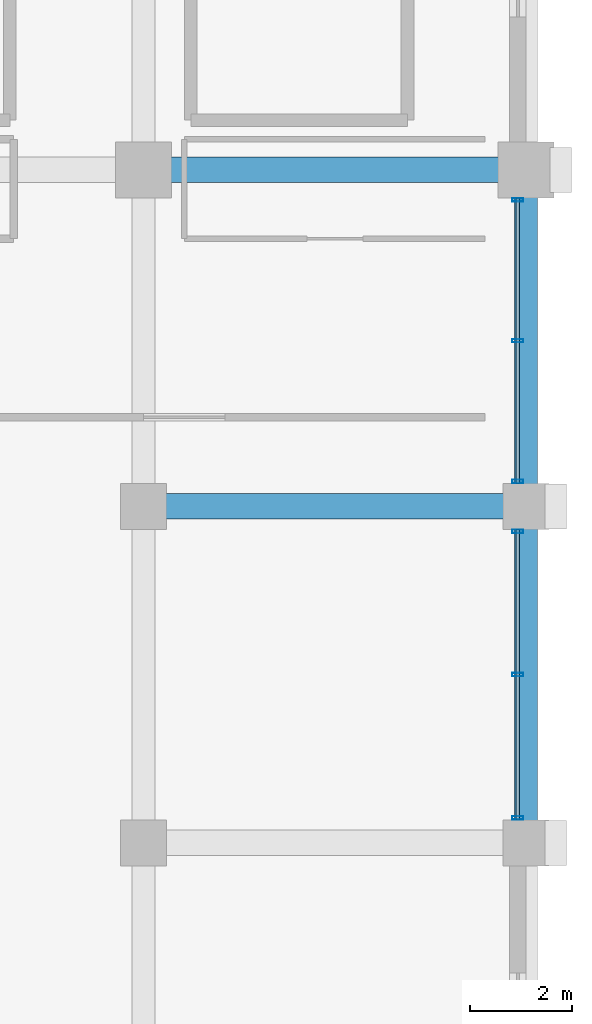
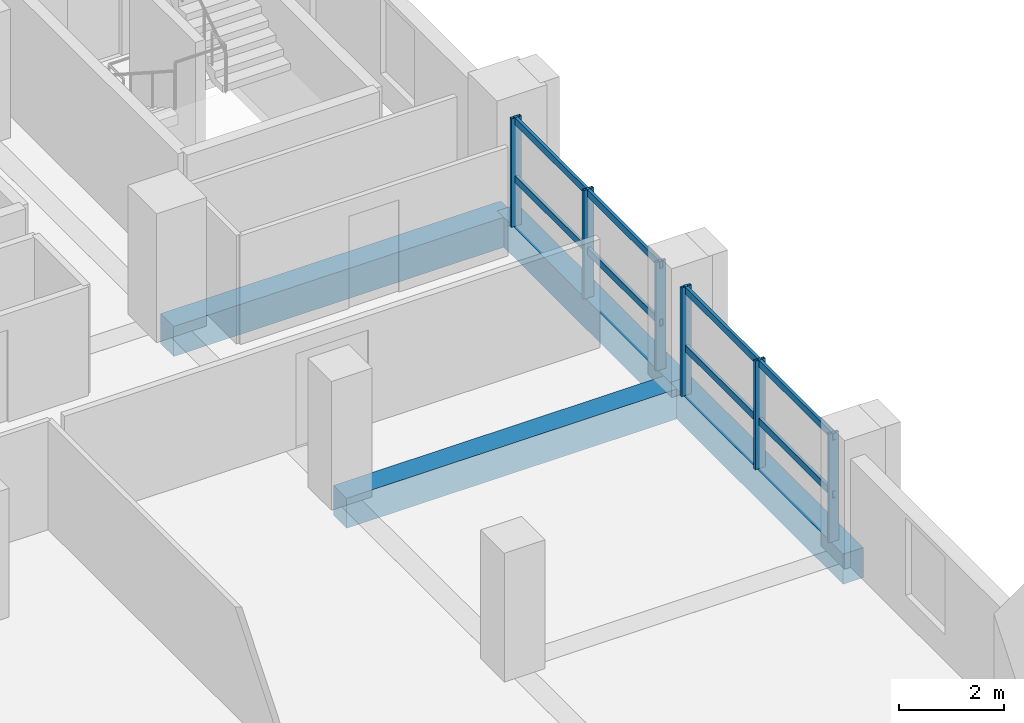
# One storey, part 14 of 21: 10 members, 4 beams, 2 elements without a shape of their own.
"""IFC4 building model written with IfcOpenShell, lengths in metres."""

from ifc_helpers import new_model, si_unit, direction, frame, origin, origin_2d, place, context, subcontext, project, spatial, rectangle, hollow_rectangle, extrude, material, material_profile, profile_set, type_object, element, aggregate, save


model = new_model("IFC4")

# Units and contexts
model_context = context("Model", 3, precision=1e-05, world=origin(), true_north=direction((0.0, 1.0)))
body_context = subcontext(model_context, "Body", "Model", "MODEL_VIEW")
ifc_project = project(units=[si_unit("LENGTHUNIT", "METRE"), si_unit("AREAUNIT", "SQUARE_METRE"), si_unit("VOLUMEUNIT", "CUBIC_METRE"), si_unit("PLANEANGLEUNIT", "RADIAN"), si_unit("MASSUNIT", "GRAM", prefix="KILO")], contexts=[model_context])

# Site, building, storey
site_placement = place(None, origin())
site = spatial("IfcSite", under=ifc_project, at=site_placement, CompositionType="ELEMENT")
building_placement = place(site_placement, origin())
building = spatial("IfcBuilding", under=site, at=building_placement, Name="Akrevak Sports Hall", CompositionType="ELEMENT")
storey_placement = place(building_placement, frame((0.0, 0.0, 34.050048828125)))
storey = spatial("IfcBuildingStorey", under=building, at=storey_placement, Name="L07", CompositionType="ELEMENT", Elevation=34.050048828125)

# Curtain wall, members
ifc_material_1 = material(Name="Anodized Bronze Aluminium & Low-E Glass", Category="aluminium")
curtain_wall_type = type_object("IfcCurtainWallType", Name="ARC-CW-TWR-56x30", PredefinedType="NOTDEFINED", material=ifc_material_1)
curtain_wall_1_placement = place(storey_placement, origin())
curtain_wall_1 = element("IfcCurtainWall", 1, at=curtain_wall_1_placement, inside=storey, type_object=curtain_wall_type, Name="Curtain Wall CW-L07-E15", PredefinedType="NOTDEFINED")
ifc_material_2 = material(Name="Anodized Bronze Aluminium", Category="aluminium")
ifc_material_profile_1 = material_profile(ifc_material_2, hollow_rectangle(XDim=0.06494140625, YDim=0.219970703125, WallThickness=0.00439453125, at=origin_2d()), Name="CWM 65x220", Category="aluminium")
ifc_profile_set_1 = profile_set([ifc_material_profile_1], Name="Anodized Bronze Aluminium")
member_type_1 = type_object("IfcMemberType", Name="ARC-CWM-70x160", PredefinedType="MULLION", material=ifc_profile_set_1)
member_1_placement = place(storey_placement, frame((115.340087890625, 42.489990234375, 0.0), z_axis=(0.0, 0.0, 1.0), x_axis=(0.0, 1.0, 0.0)))
member_1 = element("IfcMember", 2, at=member_1_placement, type_object=member_type_1, Name="Curtain Wall Mullion CW-L07-E15-M1", PredefinedType="MULLION", context=body_context, shape_type="SweptSolid", body=[
    extrude(hollow_rectangle(XDim=0.06494140625, YDim=0.219970703125, WallThickness=0.00439453125, at=origin_2d()), origin(), (0.0, 0.0, 1.0), 2.530029296875),
])
member_2_placement = place(storey_placement, frame((115.340087890625, 45.300048828125, 0.0), z_axis=(0.0, 0.0, 1.0), x_axis=(0.0, 1.0, 0.0)))
member_2 = element("IfcMember", 3, at=member_2_placement, type_object=member_type_1, Name="Curtain Wall Mullion CW-L07-E15-M2", PredefinedType="MULLION", context=body_context, shape_type="SweptSolid", body=[
    extrude(hollow_rectangle(XDim=0.06494140625, YDim=0.219970703125, WallThickness=0.00439453125, at=origin_2d()), origin(), (0.0, 0.0, 1.0), 2.530029296875),
])
member_3_placement = place(storey_placement, frame((115.340087890625, 48.110107421875, 0.0), z_axis=(0.0, 0.0, 1.0), x_axis=(0.0, 1.0, 0.0)))
member_3 = element("IfcMember", 4, at=member_3_placement, type_object=member_type_1, Name="Curtain Wall Mullion CW-L07-E15-M3", PredefinedType="MULLION", context=body_context, shape_type="SweptSolid", body=[
    extrude(hollow_rectangle(XDim=0.06494140625, YDim=0.219970703125, WallThickness=0.00439453125, at=origin_2d()), origin(), (0.0, 0.0, 1.0), 2.530029296875),
])

curtain_wall_2_placement = place(storey_placement, origin())
curtain_wall_2 = element("IfcCurtainWall", 5, at=curtain_wall_2_placement, inside=storey, type_object=curtain_wall_type, Name="Curtain Wall CW-L07-E16", PredefinedType="NOTDEFINED")
member_4_placement = place(storey_placement, frame((115.340087890625, 49.090087890625, 0.0), z_axis=(0.0, 0.0, 1.0), x_axis=(0.0, 1.0, 0.0)))
member_4 = element("IfcMember", 6, at=member_4_placement, type_object=member_type_1, Name="Curtain Wall Mullion CW-L07-E16-M1", PredefinedType="MULLION", context=body_context, shape_type="SweptSolid", body=[
    extrude(hollow_rectangle(XDim=0.06494140625, YDim=0.219970703125, WallThickness=0.00439453125, at=origin_2d()), origin(), (0.0, 0.0, 1.0), 2.530029296875),
])
member_5_placement = place(storey_placement, frame((115.340087890625, 51.85009765625, 0.0), z_axis=(0.0, 0.0, 1.0), x_axis=(0.0, 1.0, 0.0)))
member_5 = element("IfcMember", 7, at=member_5_placement, type_object=member_type_1, Name="Curtain Wall Mullion CW-L07-E16-M2", PredefinedType="MULLION", context=body_context, shape_type="SweptSolid", body=[
    extrude(hollow_rectangle(XDim=0.06494140625, YDim=0.219970703125, WallThickness=0.00439453125, at=origin_2d()), origin(), (0.0, 0.0, 1.0), 2.530029296875),
])
member_6_placement = place(storey_placement, frame((115.340087890625, 54.610107421875, 0.0), z_axis=(0.0, 0.0, 1.0), x_axis=(0.0, 1.0, 0.0)))
member_6 = element("IfcMember", 8, at=member_6_placement, type_object=member_type_1, Name="Curtain Wall Mullion CW-L07-E16-M3", PredefinedType="MULLION", context=body_context, shape_type="SweptSolid", body=[
    extrude(hollow_rectangle(XDim=0.06494140625, YDim=0.219970703125, WallThickness=0.00439453125, at=origin_2d()), origin(), (0.0, 0.0, 1.0), 2.530029296875),
])

# Member
ifc_material_profile_2 = material_profile(ifc_material_2, hollow_rectangle(XDim=0.06494140625, YDim=0.159912109375, WallThickness=0.00390625, at=origin_2d()), Name="CWT 65x160", Category="aluminium")
ifc_profile_set_2 = profile_set([ifc_material_profile_2], Name="Anodized Bronze Aluminium")
member_type_2 = type_object("IfcMemberType", Name="ARC-CWT-70x130", PredefinedType="USERDEFINED", material=ifc_profile_set_2)
member_7_placement = place(storey_placement, frame((115.340087890625, 42.449951171875, 1.099853515625), z_axis=(0.0, 1.0, 0.0), x_axis=(-1.0, 0.0, 0.0)))
member_7 = element("IfcMember", 9, at=member_7_placement, type_object=member_type_2, Name="Curtain Wall Transom CW-L07-E15-T1", ObjectType="TRANSOM", PredefinedType="USERDEFINED", context=body_context, shape_type="SweptSolid", body=[
    extrude(hollow_rectangle(XDim=0.06494140625, YDim=0.159912109375, WallThickness=0.00390625, at=origin_2d()), origin(), (0.0, 0.0, 1.0), 5.699951171875),
])

member_8_placement = place(storey_placement, frame((115.340087890625, 42.449951171875, 2.449951171875), z_axis=(0.0, 1.0, 0.0), x_axis=(-1.0, 0.0, 0.0)))
member_8 = element("IfcMember", 10, at=member_8_placement, type_object=member_type_2, Name="Curtain Wall Transom CW-L07-E15-T2", ObjectType="TRANSOM", PredefinedType="USERDEFINED", context=body_context, shape_type="SweptSolid", body=[
    extrude(hollow_rectangle(XDim=0.06494140625, YDim=0.159912109375, WallThickness=0.00390625, at=origin_2d()), origin(), (0.0, 0.0, 1.0), 5.699951171875),
])

aggregate(curtain_wall_1, [member_1, member_2, member_3, member_7, member_8])

member_9_placement = place(storey_placement, frame((115.340087890625, 49.050048828125, 1.099853515625), z_axis=(0.0, 1.0, 0.0), x_axis=(-1.0, 0.0, 0.0)))
member_9 = element("IfcMember", 11, at=member_9_placement, type_object=member_type_2, Name="Curtain Wall Transom CW-L07-E16-T1", ObjectType="TRANSOM", PredefinedType="USERDEFINED", context=body_context, shape_type="SweptSolid", body=[
    extrude(hollow_rectangle(XDim=0.06494140625, YDim=0.159912109375, WallThickness=0.00390625, at=origin_2d()), origin(), (0.0, 0.0, 1.0), 5.599853515625),
])

member_10_placement = place(storey_placement, frame((115.340087890625, 49.050048828125, 2.449951171875), z_axis=(0.0, 1.0, 0.0), x_axis=(-1.0, 0.0, 0.0)))
member_10 = element("IfcMember", 12, at=member_10_placement, type_object=member_type_2, Name="Curtain Wall Transom CW-L07-E16-T2", ObjectType="TRANSOM", PredefinedType="USERDEFINED", context=body_context, shape_type="SweptSolid", body=[
    extrude(hollow_rectangle(XDim=0.06494140625, YDim=0.159912109375, WallThickness=0.00390625, at=origin_2d()), origin(), (0.0, 0.0, 1.0), 5.599853515625),
])

aggregate(curtain_wall_2, [member_4, member_5, member_6, member_9, member_10])

# Beams
ifc_material_3 = material(Name="Concrete C40/50", Category="concrete")
ifc_material_profile_3 = material_profile(ifc_material_3, rectangle(XDim=0.449951171875, YDim=0.699951171875, at=origin_2d()), Name="BM 450x700", Category="concrete")
ifc_profile_set_3 = profile_set([ifc_material_profile_3], Name="Concrete C40/50")
beam_type_1 = type_object("IfcBeamType", Name="STR-BM-RC450x700", PredefinedType="BEAM", material=ifc_profile_set_3)
beam_1_placement = place(storey_placement, frame((115.5, 42.0, -0.35009765625), z_axis=(0.0, 1.0, 0.0), x_axis=(-1.0, 0.0, 0.0)))
element("IfcBeam", 13, at=beam_1_placement, inside=storey, type_object=beam_type_1, Name="Girder 16/G-H (L07)", PredefinedType="BEAM", context=body_context, shape_type="SweptSolid", body=[
    extrude(rectangle(XDim=0.449951171875, YDim=0.699951171875, at=origin_2d()), origin(), (0.0, 0.0, 1.0), 6.60009765625),
])
beam_2_placement = place(storey_placement, frame((115.5, 48.60009765625, -0.35009765625), z_axis=(0.0, 1.0, 0.0), x_axis=(-1.0, 0.0, 0.0)))
element("IfcBeam", 14, at=beam_2_placement, inside=storey, type_object=beam_type_1, Name="Girder 16/H-I (L07)", PredefinedType="BEAM", context=body_context, shape_type="SweptSolid", body=[
    extrude(rectangle(XDim=0.449951171875, YDim=0.699951171875, at=origin_2d()), origin(), (0.0, 0.0, 1.0), 6.599853515625),
])
ifc_material_profile_4 = material_profile(ifc_material_3, rectangle(XDim=0.5, YDim=0.699951171875, at=origin_2d()), Name="BM 500x700", Category="concrete")
ifc_profile_set_4 = profile_set([ifc_material_profile_4], Name="Concrete C40/50")
beam_type_2 = type_object("IfcBeamType", Name="STR-BM-RC500x700", PredefinedType="BEAM", material=ifc_profile_set_4)
for number, where, z_axis, x_axis, name in (
    (15, (108.0, 48.60009765625, -0.35009765625), (1.0, 0.0, 0.0), (0.0, 1.0, 0.0), "Girder H/15-16 (L07)"),
    (16, (108.0, 55.199951171875, -0.35009765625), (1.0, 0.0, 0.0), (0.0, 1.0, 0.0), "Girder I/15-16 (L07)"),
):
    element("IfcBeam", number, at=place(storey_placement, frame(where, z_axis=z_axis, x_axis=x_axis)), inside=storey, type_object=beam_type_2, Name=name, PredefinedType="BEAM", context=body_context, shape_type="SweptSolid", body=[
        extrude(rectangle(XDim=0.5, YDim=0.699951171875, at=origin_2d()), origin(), (0.0, 0.0, 1.0), 7.5),
    ])

save(model, "model.ifc")
